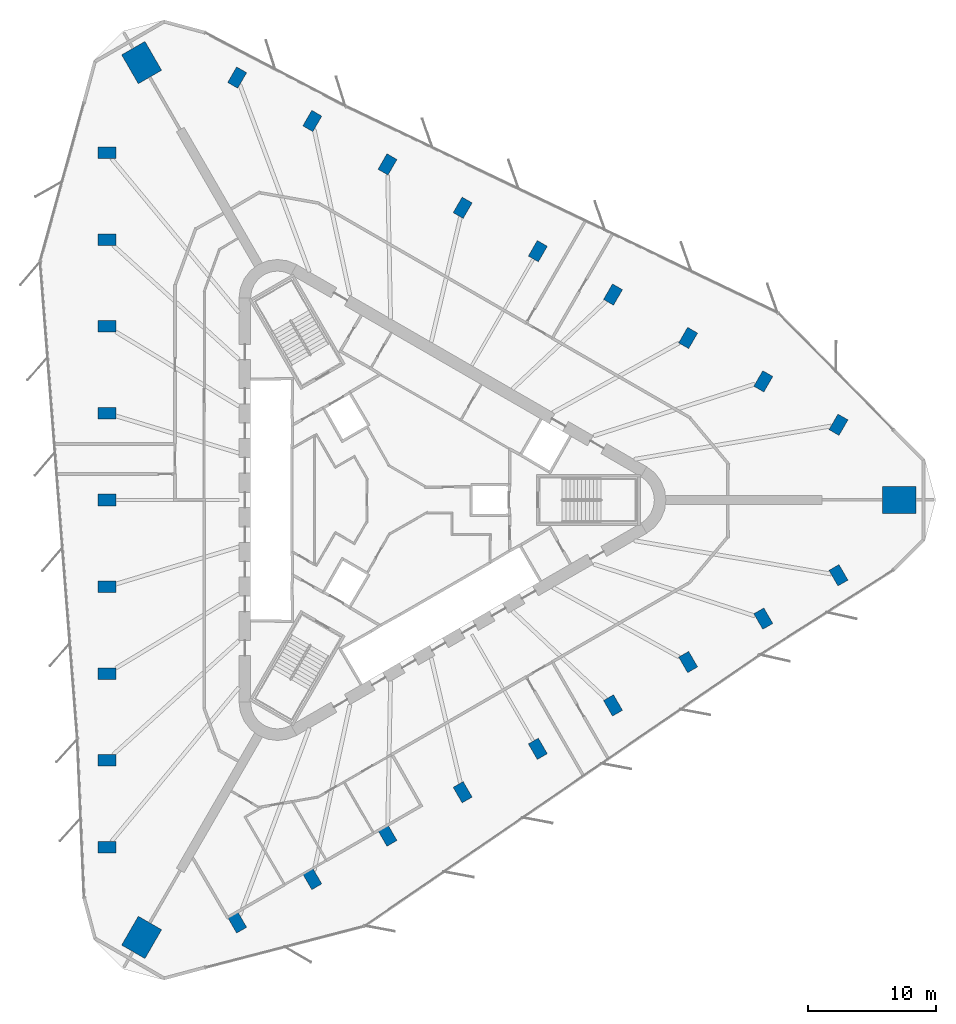
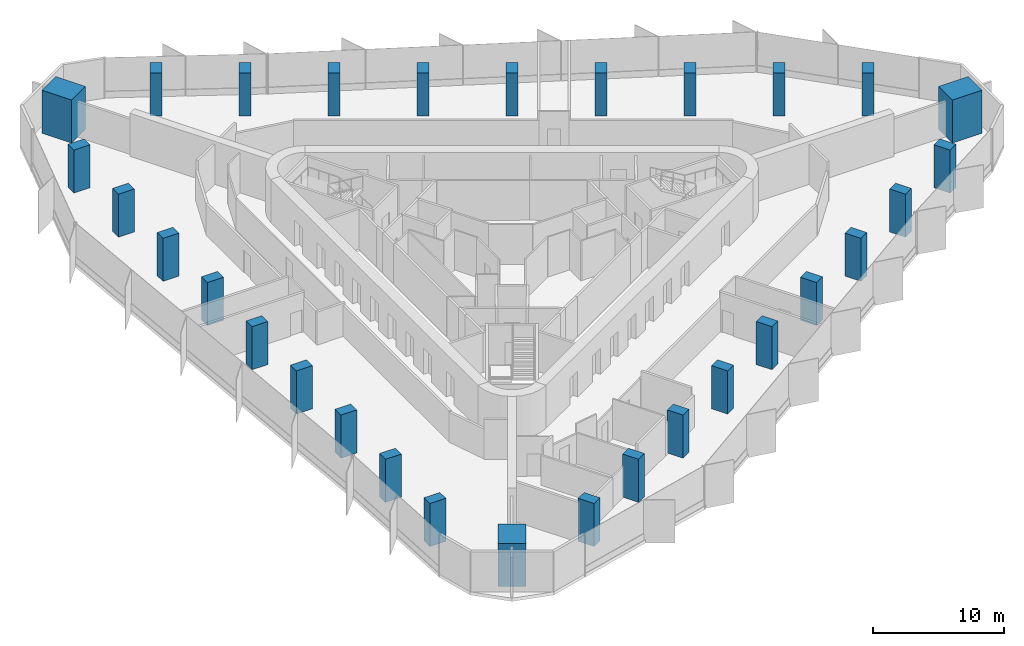
# One storey, part 1 of 13: 30 columns.
"""IFC4 building model written with IfcOpenShell, lengths in metres."""

from ifc_helpers import new_model, si_unit, direction, frame, origin, origin_2d, place, context, subcontext, project, spatial, rectangle, extrude, material, material_profile, profile_set, type_object, element, save


model = new_model("IFC4")

# Units and contexts
model_context = context("Model", 3, precision=1e-05, world=origin(), true_north=direction((0.0, 1.0)))
body_context = subcontext(model_context, "Body", "Model", "MODEL_VIEW")
ifc_project = project(units=[si_unit("LENGTHUNIT", "METRE"), si_unit("AREAUNIT", "SQUARE_METRE"), si_unit("VOLUMEUNIT", "CUBIC_METRE"), si_unit("PLANEANGLEUNIT", "RADIAN"), si_unit("MASSUNIT", "GRAM", prefix="KILO")], contexts=[model_context])

# Site, building, storey
site_placement = place(None, origin())
site = spatial("IfcSite", under=ifc_project, at=site_placement, CompositionType="ELEMENT")
building_placement = place(site_placement, origin())
building = spatial("IfcBuilding", under=site, at=building_placement, Name="Tanit Gate Tower", CompositionType="ELEMENT")
storey_placement = place(building_placement, frame((0.0, 0.0, 185.199951171875)))
storey = spatial("IfcBuildingStorey", under=building, at=storey_placement, Name="L40", CompositionType="ELEMENT", Elevation=185.199951171875)

# Columns
ifc_material_1 = material(Name="Concrete C60/75", Category="concrete")
ifc_material_profile_1 = material_profile(ifc_material_1, rectangle(XDim=2.60009765625, YDim=2.10009765625, at=origin_2d()), Name="RC 2600x2100")
ifc_profile_set_1 = profile_set([ifc_material_profile_1], Name="Concrete C60/75")
column_type_1 = type_object("IfcColumnType", Name="MEGA COLUMN 2600x2100 C60/75", PredefinedType="COLUMN", material=ifc_profile_set_1)
for number, where, z_axis, x_axis, name in (
    (1, (39.40234375, 0.0, 0.0), (0.0, 0.0, 1.0), (1.0, 0.0, 0.0), "MEGA COLUMN"),
    (2, (-19.701171875, 34.12353515625, 0.0), (0.0, 0.0, 1.0), (-0.5, 0.866025403784, 0.0), "MEGA COLUMN"),
    (3, (-19.701171875, -34.12353515625, 0.0), (0.0, 0.0, 1.0), (-0.5, -0.866025403784, 0.0), "MEGA COLUMN"),
):
    element("IfcColumn", number, at=place(storey_placement, frame(where, z_axis=z_axis, x_axis=x_axis)), inside=storey, type_object=column_type_1, Name=name, PredefinedType="COLUMN", context=body_context, shape_type="SweptSolid", body=[
        extrude(rectangle(XDim=2.60009765625, YDim=2.10009765625, at=origin_2d()), origin(), (0.0, 0.0, 1.0), 4.0),
    ])
ifc_material_2 = material(Name="Concrete C50/60", Category="concrete")
ifc_material_profile_2 = material_profile(ifc_material_2, rectangle(XDim=1.39990234375, YDim=0.89990234375, at=origin_2d()), Name="RC 1400x900")
ifc_profile_set_2 = profile_set([ifc_material_profile_2], Name="Concrete C50/60")
column_type_2 = type_object("IfcColumnType", Name="PERIMETER COLUMN 1400x900 C50/60", PredefinedType="COLUMN", material=ifc_profile_set_2)
for number, where, z_axis, x_axis, name in (
    (4, (-22.414794921875, 27.083984375, 0.0), (0.0, 0.0, 1.0), (-1.0, 0.0, 0.0), "PERIMETER COLUMN"),
    (5, (-22.414794921875, 20.31298828125, 0.0), (0.0, 0.0, 1.0), (-1.0, 0.0, 0.0), "PERIMETER COLUMN"),
    (6, (-22.414794921875, 13.5419921875, 0.0), (0.0, 0.0, 1.0), (-1.0, 0.0, 0.0), "PERIMETER COLUMN"),
    (7, (-22.414794921875, 6.77099609375, 0.0), (0.0, 0.0, 1.0), (-1.0, 0.0, 0.0), "PERIMETER COLUMN"),
    (8, (-22.414794921875, 0.0, 0.0), (0.0, 0.0, 1.0), (-1.0, 0.0, 0.0), "PERIMETER COLUMN"),
    (9, (-22.414794921875, -6.77099609375, 0.0), (0.0, 0.0, 1.0), (-1.0, 0.0, 0.0), "PERIMETER COLUMN"),
    (10, (-22.414794921875, -13.5419921875, 0.0), (0.0, 0.0, 1.0), (-1.0, 0.0, 0.0), "PERIMETER COLUMN"),
    (11, (-22.414794921875, -20.31298828125, 0.0), (0.0, 0.0, 1.0), (-1.0, 0.0, 0.0), "PERIMETER COLUMN"),
    (12, (-22.414794921875, -27.083984375, 0.0), (0.0, 0.0, 1.0), (-1.0, 0.0, 0.0), "PERIMETER COLUMN"),
    (13, (34.66259765625, 5.86962890625, 0.0), (0.0, 0.0, 1.0), (0.5, 0.866025403784, 0.0), "PERIMETER COLUMN"),
    (14, (28.798828125, 9.255126953125, 0.0), (0.0, 0.0, 1.0), (0.5, 0.866025403784, 0.0), "PERIMETER COLUMN"),
    (15, (22.93505859375, 12.640625, 0.0), (0.0, 0.0, 1.0), (0.5, 0.866025403784, 0.0), "PERIMETER COLUMN"),
    (16, (17.0712890625, 16.026123046875, 0.0), (0.0, 0.0, 1.0), (0.5, 0.866025403784, 0.0), "PERIMETER COLUMN"),
    (17, (11.207275390625, 19.41162109375, 0.0), (0.0, 0.0, 1.0), (0.5, 0.866025403784, 0.0), "PERIMETER COLUMN"),
    (18, (5.343505859375, 22.797119140625, 0.0), (0.0, 0.0, 1.0), (0.5, 0.866025403784, 0.0), "PERIMETER COLUMN"),
    (19, (-0.520263671875, 26.1826171875, 0.0), (0.0, 0.0, 1.0), (0.5, 0.866025403784, 0.0), "PERIMETER COLUMN"),
    (20, (-6.38427734375, 29.568115234375, 0.0), (0.0, 0.0, 1.0), (0.5, 0.866025403784, 0.0), "PERIMETER COLUMN"),
    (21, (-12.248046875, 32.95361328125, 0.0), (0.0, 0.0, 1.0), (0.5, 0.866025403784, 0.0), "PERIMETER COLUMN"),
    (22, (-12.248046875, -32.95361328125, 0.0), (0.0, 0.0, 1.0), (0.5, -0.866025403784, 0.0), "PERIMETER COLUMN"),
    (23, (-6.38427734375, -29.568115234375, 0.0), (0.0, 0.0, 1.0), (0.5, -0.866025403784, 0.0), "PERIMETER COLUMN"),
    (24, (-0.520263671875, -26.1826171875, 0.0), (0.0, 0.0, 1.0), (0.5, -0.866025403784, 0.0), "PERIMETER COLUMN"),
    (25, (5.343505859375, -22.797119140625, 0.0), (0.0, 0.0, 1.0), (0.5, -0.866025403784, 0.0), "PERIMETER COLUMN"),
    (26, (11.207275390625, -19.41162109375, 0.0), (0.0, 0.0, 1.0), (0.5, -0.866025403784, 0.0), "PERIMETER COLUMN"),
    (27, (17.0712890625, -16.026123046875, 0.0), (0.0, 0.0, 1.0), (0.5, -0.866025403784, 0.0), "PERIMETER COLUMN"),
    (28, (22.93505859375, -12.640625, 0.0), (0.0, 0.0, 1.0), (0.5, -0.866025403784, 0.0), "PERIMETER COLUMN"),
    (29, (28.798828125, -9.255126953125, 0.0), (0.0, 0.0, 1.0), (0.5, -0.866025403784, 0.0), "PERIMETER COLUMN"),
    (30, (34.66259765625, -5.86962890625, 0.0), (0.0, 0.0, 1.0), (0.5, -0.866025403784, 0.0), "PERIMETER COLUMN"),
):
    element("IfcColumn", number, at=place(storey_placement, frame(where, z_axis=z_axis, x_axis=x_axis)), inside=storey, type_object=column_type_2, Name=name, PredefinedType="COLUMN", context=body_context, shape_type="SweptSolid", body=[
        extrude(rectangle(XDim=1.39990234375, YDim=0.89990234375, at=origin_2d()), origin(), (0.0, 0.0, 1.0), 4.0),
    ])

save(model, "model.ifc")
